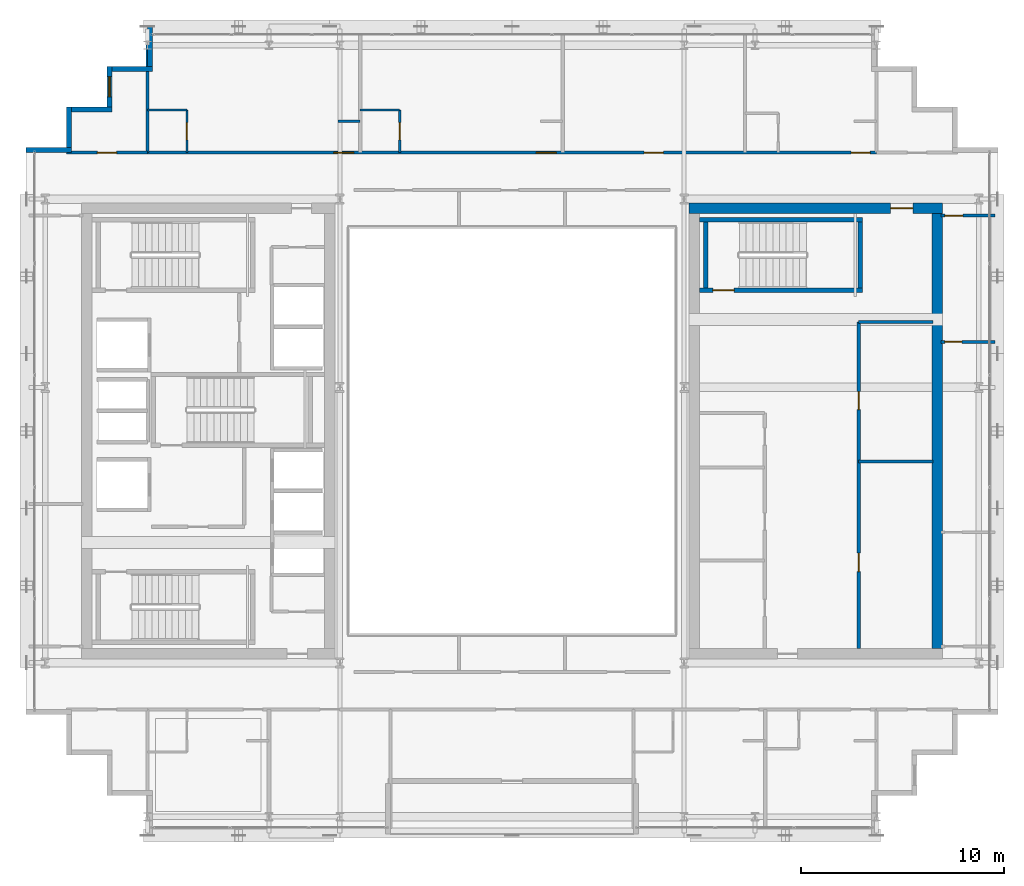
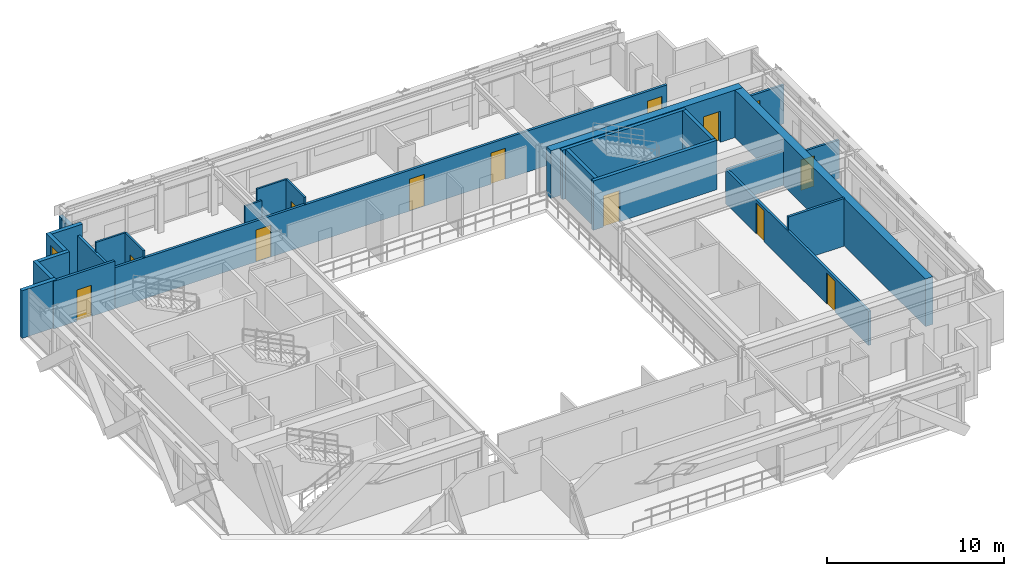
# One storey, part 27 of 32: 25 walls, 13 doors, 1 window, 14 openings.
"""IFC4 building model written with IfcOpenShell, lengths in metres."""

from ifc_helpers import new_model, si_unit, direction, frame, frame_2d, origin, place, context, subcontext, project, spatial, rectangle, extrude, source, transform, mapped, material, layer, layer_set, type_object, element, fill, save


model = new_model("IFC4")

# Units and contexts
model_context = context("Model", 3, precision=1e-05, world=origin(), true_north=direction((0.0, 1.0)))
body_context = subcontext(model_context, "Body", "Model", "MODEL_VIEW")
ifc_project = project(units=[si_unit("LENGTHUNIT", "METRE"), si_unit("AREAUNIT", "SQUARE_METRE"), si_unit("VOLUMEUNIT", "CUBIC_METRE"), si_unit("PLANEANGLEUNIT", "RADIAN"), si_unit("MASSUNIT", "GRAM", prefix="KILO")], contexts=[model_context])

# Site, building, storey
site_placement = place(None, origin())
site = spatial("IfcSite", under=ifc_project, at=site_placement, CompositionType="ELEMENT")
building_placement = place(site_placement, origin())
building = spatial("IfcBuilding", under=site, at=building_placement, Name="Ocotamira Hotel", CompositionType="ELEMENT")
storey_placement = place(building_placement, frame((0.0, 0.0, 217.199951171875)))
storey = spatial("IfcBuildingStorey", under=building, at=storey_placement, Name="L55", CompositionType="ELEMENT", Elevation=217.199951171875)

# Wall, opening, door
ifc_material_1 = material(Name="Concrete C50/60", Category="concrete")
ifc_layer_1 = layer(ifc_material_1, 0.5)
ifc_layer_set_1 = layer_set([ifc_layer_1], Name="Concrete C50/60")
wall_type_1 = type_object("IfcWallType", Name="WL-CORE-500", PredefinedType="SHEAR", material=ifc_layer_set_1)
wall_1_placement = place(storey_placement, frame((40.75, 37.0, 0.0), z_axis=(0.0, 0.0, 1.0), x_axis=(1.0, 0.0, 0.0)))
wall_1 = element("IfcWall", 1, at=wall_1_placement, inside=storey, type_object=wall_type_1, Name="L55 Shear Core Wall ECORE-N", PredefinedType="SHEAR", context=body_context, shape_type="SweptSolid", body=[
    extrude(rectangle(XDim=12.5, YDim=0.5, at=frame_2d((6.25, 0.0))), origin(), (0.0, 0.0, 1.0), 3.280029296875),
])
opening_1_placement = place(wall_1_placement, frame((9.949951171875, 0.0, 0.0)))
opening_1 = element("IfcOpeningElement", 2, at=opening_1_placement, cuts=wall_1, Name="Opening D-FR1", PredefinedType="OPENING", context=body_context, shape_type="SweptSolid", body=[
    extrude(rectangle(XDim=1.10009765625, YDim=2.14990234375, at=frame_2d((0.550048828125, 1.074951171875))), frame((0.0, 0.260009765625, 0.0), z_axis=(0.0, -1.0, 0.0), x_axis=(1.0, 0.0, 0.0)), (0.0, 0.0, 1.0), 0.52001953125),
])
ifc_material_2 = material(Name="Fire-rated acoustic timber-veneer door", Category="wood")
door_type_1 = type_object("IfcDoorType", Name="DR-FIRE-1100", OperationType="NOTDEFINED", PredefinedType="DOOR", material=ifc_material_2)
shared_shape_1 = source(origin(), body_context, "Body", "SweptSolid", [
    extrude(rectangle(XDim=1.10009765625, YDim=2.14990234375, at=frame_2d((0.550048828125, 1.074951171875))), frame((0.0, 0.02490234375, 0.0), z_axis=(0.0, -1.0, 0.0), x_axis=(1.0, 0.0, 0.0)), (0.0, 0.0, 1.0), 0.050048828125),
])
door_1_placement = place(opening_1_placement, origin())
door_1 = element("IfcDoor", 3, at=door_1_placement, inside=storey, type_object=door_type_1, Name="L55 Door ID-L55-ELOB-N-D [ID-L55-ELOB-N-D]", OperationType="SINGLE_SWING_LEFT", OverallHeight=2.14990234375, OverallWidth=1.10009765625, PredefinedType="DOOR", context=body_context, shape_type="MappedRepresentation", body=[
    mapped(shared_shape_1, transform((0.0, 0.0, 0.0), scale=1.0)),
])
fill(opening_1, door_1)

# Walls
wall_2_placement = place(storey_placement, frame((53.0, 15.25, 0.0), z_axis=(0.0, 0.0, 1.0), x_axis=(0.0, 1.0, 0.0)))
element("IfcWall", 4, at=wall_2_placement, inside=storey, type_object=wall_type_1, Name="L55 Shear Core Wall ECORE-E", PredefinedType="SHEAR", context=body_context, shape_type="SweptSolid", body=[
    extrude(rectangle(XDim=21.5, YDim=0.5, at=frame_2d((10.75, 0.0))), origin(), (0.0, 0.0, 1.0), 3.280029296875),
])
ifc_material_3 = material(Name="Precast concrete C45/55", Category="concrete")
ifc_layer_2 = layer(ifc_material_3, 0.25)
ifc_layer_set_2 = layer_set([ifc_layer_2], Name="Precast concrete C45/55")
wall_type_2 = type_object("IfcWallType", Name="WL-EXT-SER-250", PredefinedType="SOLIDWALL", material=ifc_layer_set_2)
wall_3_placement = place(storey_placement, frame((14.125, 46.0, 0.0), z_axis=(0.0, 0.0, 1.0), x_axis=(0.0, -1.0, 0.0)))
element("IfcWall", 5, at=wall_3_placement, inside=storey, type_object=wall_type_2, Name="L55 Serrated Corner Wall 13", PredefinedType="SOLIDWALL", context=body_context, shape_type="SweptSolid", body=[
    extrude(rectangle(XDim=2.0, YDim=0.25, at=frame_2d((1.0, 0.0))), origin(), (0.0, 0.0, 1.0), 2.587158203125),
])
wall_4_placement = place(storey_placement, frame((14.25, 43.875, 0.0), z_axis=(0.0, 0.0, 1.0), x_axis=(-1.0, 0.0, 0.0)))
element("IfcWall", 6, at=wall_4_placement, inside=storey, type_object=wall_type_2, Name="L55 Serrated Corner Wall 14", PredefinedType="SOLIDWALL", context=body_context, shape_type="SweptSolid", body=[
    extrude(rectangle(XDim=2.0, YDim=0.25, at=frame_2d((1.0, 0.0))), origin(), (0.0, 0.0, 1.0), 3.280029296875),
])

# Wall, opening, window
wall_5_placement = place(storey_placement, frame((12.125, 44.0, 0.0), z_axis=(0.0, 0.0, 1.0), x_axis=(0.0, -1.0, 0.0)))
wall_5 = element("IfcWall", 7, at=wall_5_placement, inside=storey, type_object=wall_type_2, Name="L55 Serrated Corner Wall 15", PredefinedType="SOLIDWALL", context=body_context, shape_type="SweptSolid", body=[
    extrude(rectangle(XDim=2.0, YDim=0.25, at=frame_2d((1.0, 0.0))), origin(), (0.0, 0.0, 1.0), 3.280029296875),
])
opening_2_placement = place(wall_5_placement, frame((0.5, 0.0, 0.85009765625)))
opening_2 = element("IfcOpeningElement", 8, at=opening_2_placement, cuts=wall_5, Name="Opening WN-2", PredefinedType="OPENING", context=body_context, shape_type="SweptSolid", body=[
    extrude(rectangle(XDim=1.0, YDim=1.89990234375, at=frame_2d((0.5, 0.949951171875))), frame((0.0, 0.135009765625, 0.0), z_axis=(0.0, -1.0, 0.0), x_axis=(1.0, 0.0, 0.0)), (0.0, 0.0, 1.0), 0.27001953125),
])
ifc_material_4 = material(Name="Double-silver low-E solar glass", Category="glass")
window_type = type_object("IfcWindowType", Name="WIN-SER-1100", PartitioningType="SINGLE_PANEL", PredefinedType="WINDOW", material=ifc_material_4)
shared_shape_2 = source(origin(), body_context, "Body", "SweptSolid", [
    extrude(rectangle(XDim=1.0, YDim=1.89990234375, at=frame_2d((0.5, 0.949951171875))), frame((0.0, 0.030029296875, 0.0), z_axis=(0.0, -1.0, 0.0), x_axis=(1.0, 0.0, 0.0)), (0.0, 0.0, 1.0), 0.06005859375),
])
window_placement = place(opening_2_placement, origin())
window = element("IfcWindow", 9, at=window_placement, inside=storey, type_object=window_type, Name="L55 Serrated Corner Window 15", OverallHeight=1.89990234375, OverallWidth=1.0, PartitioningType="SINGLE_PANEL", PredefinedType="WINDOW", context=body_context, shape_type="MappedRepresentation", body=[
    mapped(shared_shape_2, transform((0.0, 0.0, 0.0), scale=1.0)),
])
fill(opening_2, window)

# Walls
for number, where, z_axis, x_axis, name in (
    (10, (12.25, 41.875, 0.0), (0.0, 0.0, 1.0), (-1.0, 0.0, 0.0), "L55 Serrated Corner Wall 16"),
    (11, (10.125, 42.0, 0.0), (0.0, 0.0, 1.0), (0.0, -1.0, 0.0), "L55 Serrated Corner Wall 17"),
):
    element("IfcWall", number, at=place(storey_placement, frame(where, z_axis=z_axis, x_axis=x_axis)), inside=storey, type_object=wall_type_2, Name=name, PredefinedType="SOLIDWALL", context=body_context, shape_type="SweptSolid", body=[
        extrude(rectangle(XDim=2.0, YDim=0.25, at=frame_2d((1.0, 0.0))), origin(), (0.0, 0.0, 1.0), 3.280029296875),
    ])
wall_6_placement = place(storey_placement, frame((10.25, 39.875, 0.0), z_axis=(0.0, 0.0, 1.0), x_axis=(-1.0, 0.0, 0.0)))
element("IfcWall", 12, at=wall_6_placement, inside=storey, type_object=wall_type_2, Name="L55 Serrated Corner Wall 18", PredefinedType="SOLIDWALL", context=body_context, shape_type="SweptSolid", body=[
    extrude(rectangle(XDim=2.25, YDim=0.25, at=frame_2d((1.125, 0.0))), origin(), (0.0, 0.0, 1.0), 3.280029296875),
])
ifc_material_5 = material(Name="Acoustic double-layer fire gypsum board partition", Category="gypsum")
ifc_layer_3 = layer(ifc_material_5, 0.159912109375)
ifc_layer_set_3 = layer_set([ifc_layer_3], Name="Acoustic double-layer fire gypsum board partition")
wall_type_3 = type_object("IfcWallType", Name="WL-FIRE-160", PredefinedType="PARTITIONING", material=ifc_layer_set_3)
wall_7_placement = place(storey_placement, frame((49.1201171875, 31.3798828125, 0.0), z_axis=(0.0, 0.0, 1.0), x_axis=(1.0, 0.0, 0.0)))
element("IfcWall", 13, at=wall_7_placement, inside=storey, type_object=wall_type_3, Name="L55 Interior Wall PW-L55-EC-FLOW-N", PredefinedType="PARTITIONING", context=body_context, shape_type="SweptSolid", body=[
    extrude(rectangle(XDim=3.679931640625, YDim=0.159912109375, at=frame_2d((1.83984375, 0.0))), origin(), (0.0, 0.0, 1.0), 2.380126953125),
])

# Wall, openings, doors
wall_8_placement = place(storey_placement, frame((49.1201171875, 15.25, 0.0), z_axis=(0.0, 0.0, 1.0), x_axis=(0.0, 1.0, 0.0)))
wall_8 = element("IfcWall", 14, at=wall_8_placement, inside=storey, type_object=wall_type_3, Name="L55 Interior Wall PW-L55-EC-FLOW-W", PredefinedType="PARTITIONING", context=body_context, shape_type="SweptSolid", body=[
    extrude(rectangle(XDim=16.1298828125, YDim=0.159912109375, at=frame_2d((8.06494140625, 0.0))), origin(), (0.0, 0.0, 1.0), 2.360107421875),
])
opening_3_placement = place(wall_8_placement, frame((3.800048828125, 0.0, 0.0)))
opening_3 = element("IfcOpeningElement", 15, at=opening_3_placement, cuts=wall_8, Name="Opening D-SV3", PredefinedType="OPENING", context=body_context, shape_type="SweptSolid", body=[
    extrude(rectangle(XDim=0.919921875, YDim=2.14990234375, at=frame_2d((0.4599609375, 1.074951171875))), frame((0.0, 0.08984375, 0.0), z_axis=(0.0, -1.0, 0.0), x_axis=(1.0, 0.0, 0.0)), (0.0, 0.0, 1.0), 0.179931640625),
])
opening_4_placement = place(wall_8_placement, frame((11.800048828125, 0.0, 0.0)))
opening_4 = element("IfcOpeningElement", 16, at=opening_4_placement, cuts=wall_8, Name="Opening D-IN3", PredefinedType="OPENING", context=body_context, shape_type="SweptSolid", body=[
    extrude(rectangle(XDim=0.89990234375, YDim=2.14990234375, at=frame_2d((0.449951171875, 1.074951171875))), frame((0.0, 0.08984375, 0.0), z_axis=(0.0, -1.0, 0.0), x_axis=(1.0, 0.0, 0.0)), (0.0, 0.0, 1.0), 0.179931640625),
])
ifc_material_6 = material(Name="Painted service room door", Category="steel")
door_type_2 = type_object("IfcDoorType", Name="DR-INT-900", OperationType="NOTDEFINED", PredefinedType="DOOR", material=ifc_material_6)
shared_shape_3 = source(origin(), body_context, "Body", "SweptSolid", [
    extrude(rectangle(XDim=0.89990234375, YDim=2.14990234375, at=frame_2d((0.449951171875, 1.074951171875))), frame((0.0, 0.02490234375, 0.0), z_axis=(0.0, -1.0, 0.0), x_axis=(1.0, 0.0, 0.0)), (0.0, 0.0, 1.0), 0.050048828125),
])
door_2_placement = place(opening_4_placement, origin())
door_2 = element("IfcDoor", 17, at=door_2_placement, inside=storey, type_object=door_type_2, Name="L55 Door ID-L55-EC-FLOW-DB [ID-L55-EC-FLOW-DB]", OperationType="SINGLE_SWING_RIGHT", OverallHeight=2.14990234375, OverallWidth=0.89990234375, PredefinedType="DOOR", context=body_context, shape_type="MappedRepresentation", body=[
    mapped(shared_shape_3, transform((0.0, 0.0, 0.0), scale=1.0)),
])
fill(opening_4, door_2)
ifc_material_7 = material(Name="Fire-rated walnut hospitality door", Category="wood")
door_type_3 = type_object("IfcDoorType", Name="DR-SERV-920", OperationType="NOTDEFINED", PredefinedType="DOOR", material=ifc_material_7)
shared_shape_4 = source(origin(), body_context, "Body", "SweptSolid", [
    extrude(rectangle(XDim=0.919921875, YDim=2.14990234375, at=frame_2d((0.4599609375, 1.074951171875))), frame((0.0, 0.02490234375, 0.0), z_axis=(0.0, -1.0, 0.0), x_axis=(1.0, 0.0, 0.0)), (0.0, 0.0, 1.0), 0.050048828125),
])
door_3_placement = place(opening_3_placement, origin())
door_3 = element("IfcDoor", 18, at=door_3_placement, inside=storey, type_object=door_type_3, Name="L55 Door ID-L55-EC-FLOW-DA [ID-L55-EC-FLOW-DA]", OperationType="SINGLE_SWING_LEFT", OverallHeight=2.14990234375, OverallWidth=0.919921875, PredefinedType="DOOR", context=body_context, shape_type="MappedRepresentation", body=[
    mapped(shared_shape_4, transform((0.0, 0.0, 0.0), scale=1.0)),
])
fill(opening_3, door_3)

# Wall, opening, door
wall_9_placement = place(storey_placement, frame((10.0, 39.75, 0.0), z_axis=(0.0, 0.0, 1.0), x_axis=(1.0, 0.0, 0.0)))
wall_9 = element("IfcWall", 19, at=wall_9_placement, inside=storey, type_object=wall_type_3, Name="L55 Interior Wall PW-L55-Z3F-CNW-CW", PredefinedType="PARTITIONING", context=body_context, shape_type="SweptSolid", body=[
    extrude(rectangle(XDim=4.0, YDim=0.159912109375, at=frame_2d((2.0, 0.0))), origin(), (0.0, 0.0, 1.0), 3.280029296875),
])
opening_5_placement = place(wall_9_placement, frame((1.52001953125, 0.0, 0.0)))
opening_5 = element("IfcOpeningElement", 20, at=opening_5_placement, cuts=wall_9, Name="Opening D-SV4", PredefinedType="OPENING", context=body_context, shape_type="SweptSolid", body=[
    extrude(rectangle(XDim=0.9599609375, YDim=2.14990234375, at=frame_2d((0.47998046875, 1.074951171875))), frame((0.0, 0.08984375, 0.0), z_axis=(0.0, -1.0, 0.0), x_axis=(1.0, 0.0, 0.0)), (0.0, 0.0, 1.0), 0.179931640625),
])
ifc_material_8 = material(Name="Fire-rated accessible walnut salon door", Category="wood")
door_type_4 = type_object("IfcDoorType", Name="DR-SERV-960", OperationType="NOTDEFINED", PredefinedType="DOOR", material=ifc_material_8)
shared_shape_5 = source(origin(), body_context, "Body", "SweptSolid", [
    extrude(rectangle(XDim=0.9599609375, YDim=2.14990234375, at=frame_2d((0.47998046875, 1.074951171875))), frame((0.0, 0.02490234375, 0.0), z_axis=(0.0, -1.0, 0.0), x_axis=(1.0, 0.0, 0.0)), (0.0, 0.0, 1.0), 0.050048828125),
])
door_4_placement = place(opening_5_placement, origin())
door_4 = element("IfcDoor", 21, at=door_4_placement, inside=storey, type_object=door_type_4, Name="L55 Door ID-L55-Z3F-CNW-CD [ID-L55-Z3F-CNW-CD]", OperationType="SINGLE_SWING_LEFT", OverallHeight=2.14990234375, OverallWidth=0.9599609375, PredefinedType="DOOR", context=body_context, shape_type="MappedRepresentation", body=[
    mapped(shared_shape_5, transform((0.0, 0.0, 0.0), scale=1.0)),
])
fill(opening_5, door_4)

# Wall, openings, doors
wall_10_placement = place(storey_placement, frame((14.0, 39.75, 0.0), z_axis=(0.0, 0.0, 1.0), x_axis=(1.0, 0.0, 0.0)))
wall_10 = element("IfcWall", 22, at=wall_10_placement, inside=storey, type_object=wall_type_3, Name="L55 Interior Wall PW-L55-Z3FN-CORRW", PredefinedType="PARTITIONING", context=body_context, shape_type="SweptSolid", body=[
    extrude(rectangle(XDim=36.0, YDim=0.159912109375, at=frame_2d((18.0, 0.0))), origin(), (0.0, 0.0, 1.0), 2.822998046875),
])
opening_6_placement = place(wall_10_placement, frame((9.199951171875, 0.0, 0.0)))
opening_6 = element("IfcOpeningElement", 23, at=opening_6_placement, cuts=wall_10, Name="Opening D-GR2", PredefinedType="OPENING", context=body_context, shape_type="SweptSolid", body=[
    extrude(rectangle(XDim=0.97998046875, YDim=2.199951171875, at=frame_2d((0.489990234375, 1.10009765625))), frame((0.0, 0.08984375, 0.0), z_axis=(0.0, -1.0, 0.0), x_axis=(1.0, 0.0, 0.0)), (0.0, 0.0, 1.0), 0.179931640625),
])
opening_7_placement = place(wall_10_placement, frame((19.199951171875, 0.0, 0.0)))
opening_7 = element("IfcOpeningElement", 24, at=opening_7_placement, cuts=wall_10, Name="Opening D-GR2", PredefinedType="OPENING", context=body_context, shape_type="SweptSolid", body=[
    extrude(rectangle(XDim=0.97998046875, YDim=2.199951171875, at=frame_2d((0.489990234375, 1.10009765625))), frame((0.0, 0.08984375, 0.0), z_axis=(0.0, -1.0, 0.0), x_axis=(1.0, 0.0, 0.0)), (0.0, 0.0, 1.0), 0.179931640625),
])
opening_8_placement = place(wall_10_placement, frame((24.52001953125, 0.0, 0.0)))
opening_8 = element("IfcOpeningElement", 25, at=opening_8_placement, cuts=wall_10, Name="Opening D-SV4", PredefinedType="OPENING", context=body_context, shape_type="SweptSolid", body=[
    extrude(rectangle(XDim=0.9599609375, YDim=2.14990234375, at=frame_2d((0.47998046875, 1.074951171875))), frame((0.0, 0.08984375, 0.0), z_axis=(0.0, -1.0, 0.0), x_axis=(1.0, 0.0, 0.0)), (0.0, 0.0, 1.0), 0.179931640625),
])
opening_9_placement = place(wall_10_placement, frame((34.739990234375, 0.0, 0.0)))
opening_9 = element("IfcOpeningElement", 26, at=opening_9_placement, cuts=wall_10, Name="Opening D-GR1", PredefinedType="OPENING", context=body_context, shape_type="SweptSolid", body=[
    extrude(rectangle(XDim=0.93994140625, YDim=2.14990234375, at=frame_2d((0.469970703125, 1.074951171875))), frame((0.0, 0.08984375, 0.0), z_axis=(0.0, -1.0, 0.0), x_axis=(1.0, 0.0, 0.0)), (0.0, 0.0, 1.0), 0.179931640625),
])
door_5_placement = place(opening_8_placement, origin())
door_5 = element("IfcDoor", 27, at=door_5_placement, inside=storey, type_object=door_type_4, Name="L55 Door ID-L55-Z3FN-AMD3 [ID-L55-Z3FN-AMD3]", OperationType="SINGLE_SWING_LEFT", OverallHeight=2.14990234375, OverallWidth=0.9599609375, PredefinedType="DOOR", context=body_context, shape_type="MappedRepresentation", body=[
    mapped(shared_shape_5, transform((0.0, 0.0, 0.0), scale=1.0)),
])
fill(opening_8, door_5)
ifc_material_9 = material(Name="Solid-core walnut suite entrance fire door", Category="wood")
door_type_5 = type_object("IfcDoorType", Name="DR-GUEST-940", OperationType="NOTDEFINED", PredefinedType="DOOR", material=ifc_material_9)
shared_shape_6 = source(origin(), body_context, "Body", "SweptSolid", [
    extrude(rectangle(XDim=0.93994140625, YDim=2.14990234375, at=frame_2d((0.469970703125, 1.074951171875))), frame((0.0, 0.02490234375, 0.0), z_axis=(0.0, -1.0, 0.0), x_axis=(1.0, 0.0, 0.0)), (0.0, 0.0, 1.0), 0.050048828125),
])
door_6_placement = place(opening_9_placement, origin())
door_6 = element("IfcDoor", 28, at=door_6_placement, inside=storey, type_object=door_type_5, Name="L55 Door ID-L55-Z3FN-RMD4 [ID-L55-Z3FN-RMD4]", OperationType="SINGLE_SWING_RIGHT", OverallHeight=2.14990234375, OverallWidth=0.93994140625, PredefinedType="DOOR", context=body_context, shape_type="MappedRepresentation", body=[
    mapped(shared_shape_6, transform((0.0, 0.0, 0.0), scale=1.0)),
])
fill(opening_9, door_6)
ifc_material_10 = material(Name="Solid-core walnut grand-suite entrance fire door", Category="wood")
door_type_6 = type_object("IfcDoorType", Name="DR-GUEST-980", OperationType="NOTDEFINED", PredefinedType="DOOR", material=ifc_material_10)
shared_shape_7 = source(origin(), body_context, "Body", "SweptSolid", [
    extrude(rectangle(XDim=0.97998046875, YDim=2.199951171875, at=frame_2d((0.489990234375, 1.10009765625))), frame((0.0, 0.02490234375, 0.0), z_axis=(0.0, -1.0, 0.0), x_axis=(1.0, 0.0, 0.0)), (0.0, 0.0, 1.0), 0.050048828125),
])
door_7_placement = place(opening_6_placement, origin())
door_7 = element("IfcDoor", 29, at=door_7_placement, inside=storey, type_object=door_type_6, Name="L55 Door ID-L55-Z3FN-RMD1 [ID-L55-Z3FN-RMD1]", OperationType="SINGLE_SWING_LEFT", OverallHeight=2.199951171875, OverallWidth=0.97998046875, PredefinedType="DOOR", context=body_context, shape_type="MappedRepresentation", body=[
    mapped(shared_shape_7, transform((0.0, 0.0, 0.0), scale=1.0)),
])
fill(opening_6, door_7)
door_8_placement = place(opening_7_placement, origin())
door_8 = element("IfcDoor", 30, at=door_8_placement, inside=storey, type_object=door_type_6, Name="L55 Door ID-L55-Z3FN-RMD2 [ID-L55-Z3FN-RMD2]", OperationType="SINGLE_SWING_RIGHT", OverallHeight=2.199951171875, OverallWidth=0.97998046875, PredefinedType="DOOR", context=body_context, shape_type="MappedRepresentation", body=[
    mapped(shared_shape_7, transform((0.0, 0.0, 0.0), scale=1.0)),
])
fill(opening_7, door_8)

# Wall, opening, door
ifc_material_11 = material(Name="Moisture-resistant en-suite tile and gypsum partition", Category="gypsum")
ifc_layer_4 = layer(ifc_material_11, 0.1201171875)
ifc_layer_set_4 = layer_set([ifc_layer_4], Name="Moisture-resistant en-suite tile and gypsum partition")
wall_type_4 = type_object("IfcWallType", Name="WL-PART-120", PredefinedType="PARTITIONING", material=ifc_layer_set_4)
wall_11_placement = place(storey_placement, frame((15.949951171875, 39.75, 0.0), z_axis=(0.0, 0.0, 1.0), x_axis=(0.0, 1.0, 0.0)))
wall_11 = element("IfcWall", 31, at=wall_11_placement, inside=storey, type_object=wall_type_4, Name="L55 Interior Wall PW-L55-Z3FN-BAE1", PredefinedType="PARTITIONING", context=body_context, shape_type="SweptSolid", body=[
    extrude(rectangle(XDim=2.10009765625, YDim=0.1201171875, at=frame_2d((1.050048828125, 0.0))), origin(), (0.0, 0.0, 1.0), 3.280029296875),
])
opening_10_placement = place(wall_11_placement, frame((0.6201171875, 0.0, 0.0)))
opening_10 = element("IfcOpeningElement", 32, at=opening_10_placement, cuts=wall_11, Name="Opening D-BA1", PredefinedType="OPENING", context=body_context, shape_type="SweptSolid", body=[
    extrude(rectangle(XDim=0.860107421875, YDim=2.10009765625, at=frame_2d((0.43017578125, 1.050048828125))), frame((0.0, 0.070068359375, 0.0), z_axis=(0.0, -1.0, 0.0), x_axis=(1.0, 0.0, 0.0)), (0.0, 0.0, 1.0), 0.14013671875),
])
ifc_material_12 = material(Name="Moisture-sealed en-suite timber door", Category="wood")
door_type_7 = type_object("IfcDoorType", Name="DR-BATH-860", OperationType="NOTDEFINED", PredefinedType="DOOR", material=ifc_material_12)
shared_shape_8 = source(origin(), body_context, "Body", "SweptSolid", [
    extrude(rectangle(XDim=0.860107421875, YDim=2.10009765625, at=frame_2d((0.43017578125, 1.050048828125))), frame((0.0, 0.02490234375, 0.0), z_axis=(0.0, -1.0, 0.0), x_axis=(1.0, 0.0, 0.0)), (0.0, 0.0, 1.0), 0.050048828125),
])
door_9_placement = place(opening_10_placement, origin())
door_9 = element("IfcDoor", 33, at=door_9_placement, inside=storey, type_object=door_type_7, Name="L55 Door ID-L55-Z3FN-BAD1 [ID-L55-Z3FN-BAD1]", OperationType="SINGLE_SWING_RIGHT", OverallHeight=2.10009765625, OverallWidth=0.860107421875, PredefinedType="DOOR", context=body_context, shape_type="MappedRepresentation", body=[
    mapped(shared_shape_8, transform((0.0, 0.0, 0.0), scale=1.0)),
])
fill(opening_10, door_9)

# Walls
wall_12_placement = place(storey_placement, frame((14.0, 41.85009765625, 0.0), z_axis=(0.0, 0.0, 1.0), x_axis=(1.0, 0.0, 0.0)))
element("IfcWall", 34, at=wall_12_placement, inside=storey, type_object=wall_type_4, Name="L55 Interior Wall PW-L55-Z3FN-BAN1", PredefinedType="PARTITIONING", context=body_context, shape_type="SweptSolid", body=[
    extrude(rectangle(XDim=1.949951171875, YDim=0.1201171875, at=frame_2d((0.97509765625, 0.0))), origin(), (0.0, 0.0, 1.0), 3.280029296875),
])
wall_13_placement = place(storey_placement, frame((23.39990234375, 41.300048828125, 0.0), z_axis=(0.0, 0.0, 1.0), x_axis=(1.0, 0.0, 0.0)))
element("IfcWall", 35, at=wall_13_placement, inside=storey, type_object=wall_type_4, Name="L55 Interior Wall PW-L55-Z3FN-DRN1", PredefinedType="PARTITIONING", context=body_context, shape_type="SweptSolid", body=[
    extrude(rectangle(XDim=1.10009765625, YDim=0.1201171875, at=frame_2d((0.550048828125, 0.0))), origin(), (0.0, 0.0, 1.0), 2.822998046875),
])

# Wall, opening, door
wall_14_placement = place(storey_placement, frame((26.449951171875, 39.75, 0.0), z_axis=(0.0, 0.0, 1.0), x_axis=(0.0, 1.0, 0.0)))
wall_14 = element("IfcWall", 36, at=wall_14_placement, inside=storey, type_object=wall_type_4, Name="L55 Interior Wall PW-L55-Z3FN-BAE2", PredefinedType="PARTITIONING", context=body_context, shape_type="SweptSolid", body=[
    extrude(rectangle(XDim=2.10009765625, YDim=0.1201171875, at=frame_2d((1.050048828125, 0.0))), origin(), (0.0, 0.0, 1.0), 3.280029296875),
])
opening_11_placement = place(wall_14_placement, frame((0.6201171875, 0.0, 0.0)))
opening_11 = element("IfcOpeningElement", 37, at=opening_11_placement, cuts=wall_14, Name="Opening D-BA1", PredefinedType="OPENING", context=body_context, shape_type="SweptSolid", body=[
    extrude(rectangle(XDim=0.860107421875, YDim=2.10009765625, at=frame_2d((0.43017578125, 1.050048828125))), frame((0.0, 0.070068359375, 0.0), z_axis=(0.0, -1.0, 0.0), x_axis=(1.0, 0.0, 0.0)), (0.0, 0.0, 1.0), 0.14013671875),
])
door_10_placement = place(opening_11_placement, origin())
door_10 = element("IfcDoor", 38, at=door_10_placement, inside=storey, type_object=door_type_7, Name="L55 Door ID-L55-Z3FN-BAD2 [ID-L55-Z3FN-BAD2]", OperationType="SINGLE_SWING_LEFT", OverallHeight=2.10009765625, OverallWidth=0.860107421875, PredefinedType="DOOR", context=body_context, shape_type="MappedRepresentation", body=[
    mapped(shared_shape_8, transform((0.0, 0.0, 0.0), scale=1.0)),
])
fill(opening_11, door_10)

# Wall
wall_15_placement = place(storey_placement, frame((24.5, 41.85009765625, 0.0), z_axis=(0.0, 0.0, 1.0), x_axis=(1.0, 0.0, 0.0)))
element("IfcWall", 39, at=wall_15_placement, inside=storey, type_object=wall_type_4, Name="L55 Interior Wall PW-L55-Z3FN-BAN2", PredefinedType="PARTITIONING", context=body_context, shape_type="SweptSolid", body=[
    extrude(rectangle(XDim=1.949951171875, YDim=0.1201171875, at=frame_2d((0.97509765625, 0.0))), origin(), (0.0, 0.0, 1.0), 3.280029296875),
])

# Wall, opening, door
ifc_material_13 = material(Name="Acoustic hospitality gypsum board partition", Category="gypsum")
ifc_layer_5 = layer(ifc_material_13, 0.14208984375)
ifc_layer_set_5 = layer_set([ifc_layer_5], Name="Acoustic hospitality gypsum board partition")
wall_type_5 = type_object("IfcWallType", Name="WL-PART-142", PredefinedType="PARTITIONING", material=ifc_layer_set_5)
wall_16_placement = place(storey_placement, frame((53.179931640625, 30.39990234375, 0.0), z_axis=(0.0, 0.0, 1.0), x_axis=(1.0, 0.0, 0.0)))
wall_16 = element("IfcWall", 40, at=wall_16_placement, inside=storey, type_object=wall_type_5, Name="L55 Interior Wall PW-L55-Z3F-EF-DV2", PredefinedType="PARTITIONING", context=body_context, shape_type="SweptSolid", body=[
    extrude(rectangle(XDim=2.66015625, YDim=0.14208984375, at=frame_2d((1.330078125, 0.0))), origin(), (0.0, 0.0, 1.0), 2.6630859375),
])
opening_12_placement = place(wall_16_placement, frame((0.199951171875, 0.0, 0.0)))
opening_12 = element("IfcOpeningElement", 41, at=opening_12_placement, cuts=wall_16, Name="Opening D-SV1", PredefinedType="OPENING", context=body_context, shape_type="SweptSolid", body=[
    extrude(rectangle(XDim=0.840087890625, YDim=2.10009765625, at=frame_2d((0.419921875, 1.050048828125))), frame((0.0, 0.0810546875, 0.0), z_axis=(0.0, -1.0, 0.0), x_axis=(1.0, 0.0, 0.0)), (0.0, 0.0, 1.0), 0.162109375),
])
ifc_material_14 = material(Name="Fire-rated painted steel service door", Category="steel")
door_type_8 = type_object("IfcDoorType", Name="DR-SERV-840", OperationType="NOTDEFINED", PredefinedType="DOOR", material=ifc_material_14)
shared_shape_9 = source(origin(), body_context, "Body", "SweptSolid", [
    extrude(rectangle(XDim=0.840087890625, YDim=2.10009765625, at=frame_2d((0.419921875, 1.050048828125))), frame((0.0, 0.02490234375, 0.0), z_axis=(0.0, -1.0, 0.0), x_axis=(1.0, 0.0, 0.0)), (0.0, 0.0, 1.0), 0.050048828125),
])
door_11_placement = place(opening_12_placement, origin())
door_11 = element("IfcDoor", 42, at=door_11_placement, inside=storey, type_object=door_type_8, Name="L55 Door ID-L55-Z3F-EF-DV2D [ID-L55-Z3F-EF-DV2D]", OperationType="SINGLE_SWING_RIGHT", OverallHeight=2.10009765625, OverallWidth=0.840087890625, PredefinedType="DOOR", context=body_context, shape_type="MappedRepresentation", body=[
    mapped(shared_shape_9, transform((0.0, 0.0, 0.0), scale=1.0)),
])
fill(opening_12, door_11)

# Wall
ifc_layer_6 = layer(ifc_material_13, 0.14990234375)
ifc_layer_set_6 = layer_set([ifc_layer_6], Name="Acoustic hospitality gypsum board partition")
wall_type_6 = type_object("IfcWallType", Name="WL-PART-150", PredefinedType="PARTITIONING", material=ifc_layer_set_6)
wall_17_placement = place(storey_placement, frame((49.1201171875, 24.489990234375, 0.0), z_axis=(0.0, 0.0, 1.0), x_axis=(1.0, 0.0, 0.0)))
element("IfcWall", 43, at=wall_17_placement, inside=storey, type_object=wall_type_6, Name="L55 Interior Wall PW-L55-EC-FDIVA", PredefinedType="PARTITIONING", context=body_context, shape_type="SweptSolid", body=[
    extrude(rectangle(XDim=3.679931640625, YDim=0.14990234375, at=frame_2d((1.83984375, 0.0))), origin(), (0.0, 0.0, 1.0), 3.280029296875),
])

# Wall, opening, door
wall_18_placement = place(storey_placement, frame((53.179931640625, 36.639892578125, 0.0), z_axis=(0.0, 0.0, 1.0), x_axis=(1.0, 0.0, 0.0)))
wall_18 = element("IfcWall", 44, at=wall_18_placement, inside=storey, type_object=wall_type_6, Name="L55 Interior Wall PW-L55-Z3F-EF-WN", PredefinedType="PARTITIONING", context=body_context, shape_type="SweptSolid", body=[
    extrude(rectangle(XDim=2.66015625, YDim=0.14990234375, at=frame_2d((1.330078125, 0.0))), origin(), (0.0, 0.0, 1.0), 2.6630859375),
])
opening_13_placement = place(wall_18_placement, frame((0.199951171875, 0.0, 0.0)))
opening_13 = element("IfcOpeningElement", 45, at=opening_13_placement, cuts=wall_18, Name="Opening D-SV2", PredefinedType="OPENING", context=body_context, shape_type="SweptSolid", body=[
    extrude(rectangle(XDim=0.8798828125, YDim=2.14990234375, at=frame_2d((0.43994140625, 1.074951171875))), frame((0.0, 0.0849609375, 0.0), z_axis=(0.0, -1.0, 0.0), x_axis=(1.0, 0.0, 0.0)), (0.0, 0.0, 1.0), 0.169921875),
])
door_type_9 = type_object("IfcDoorType", Name="DR-SERV-880", OperationType="NOTDEFINED", PredefinedType="DOOR", material=ifc_material_14)
shared_shape_10 = source(origin(), body_context, "Body", "SweptSolid", [
    extrude(rectangle(XDim=0.8798828125, YDim=2.14990234375, at=frame_2d((0.43994140625, 1.074951171875))), frame((0.0, 0.02490234375, 0.0), z_axis=(0.0, -1.0, 0.0), x_axis=(1.0, 0.0, 0.0)), (0.0, 0.0, 1.0), 0.050048828125),
])
door_12_placement = place(opening_13_placement, origin())
door_12 = element("IfcDoor", 46, at=door_12_placement, inside=storey, type_object=door_type_9, Name="L55 Door ID-L55-Z3F-EF-DN [ID-L55-Z3F-EF-DN]", OperationType="SINGLE_SWING_LEFT", OverallHeight=2.14990234375, OverallWidth=0.8798828125, PredefinedType="DOOR", context=body_context, shape_type="MappedRepresentation", body=[
    mapped(shared_shape_10, transform((0.0, 0.0, 0.0), scale=1.0)),
])
fill(opening_13, door_12)

# Wall
ifc_material_15 = material(Name="Acoustic double-stud hospitality gypsum partition", Category="gypsum")
ifc_layer_7 = layer(ifc_material_15, 0.159912109375)
ifc_layer_set_7 = layer_set([ifc_layer_7], Name="Acoustic double-stud hospitality gypsum partition")
wall_type_7 = type_object("IfcWallType", Name="WL-PART-160", PredefinedType="PARTITIONING", material=ifc_layer_set_7)
wall_19_placement = place(storey_placement, frame((14.0, 39.75, 0.0), z_axis=(0.0, 0.0, 1.0), x_axis=(0.0, 1.0, 0.0)))
element("IfcWall", 47, at=wall_19_placement, inside=storey, type_object=wall_type_7, Name="L55 Interior Wall PW-L55-Z3FN-PW0", PredefinedType="PARTITIONING", context=body_context, shape_type="SweptSolid", body=[
    extrude(rectangle(XDim=5.889892578125, YDim=0.159912109375, at=frame_2d((2.94482421875, 0.0))), origin(), (0.0, 0.0, 1.0), 2.587158203125),
])

# Wall, opening, door
ifc_layer_8 = layer(ifc_material_1, 0.219970703125)
ifc_layer_set_8 = layer_set([ifc_layer_8], Name="Concrete C50/60")
wall_type_8 = type_object("IfcWallType", Name="WL-STAIR-220", PredefinedType="SHEAR", material=ifc_layer_set_8)
wall_20_placement = place(storey_placement, frame((41.25, 32.93994140625, 0.0), z_axis=(0.0, 0.0, 1.0), x_axis=(1.0, 0.0, 0.0)))
wall_20 = element("IfcWall", 48, at=wall_20_placement, inside=storey, type_object=wall_type_8, Name="L55 Stair Shaft Structural Wall ST-4-S", PredefinedType="SHEAR", context=body_context, shape_type="SweptSolid", body=[
    extrude(rectangle(XDim=8.06005859375, YDim=0.219970703125, at=frame_2d((4.030029296875, 0.0))), origin(), (0.0, 0.0, 1.0), 3.400146484375),
])
opening_14_placement = place(wall_20_placement, frame((0.669921875, 0.0, 0.0)))
opening_14 = element("IfcOpeningElement", 49, at=opening_14_placement, cuts=wall_20, Name="Opening D-ST2", PredefinedType="OPENING", context=body_context, shape_type="SweptSolid", body=[
    extrude(rectangle(XDim=1.050048828125, YDim=2.14990234375, at=frame_2d((0.52490234375, 1.074951171875))), frame((0.0, 0.1201171875, 0.0), z_axis=(0.0, -1.0, 0.0), x_axis=(1.0, 0.0, 0.0)), (0.0, 0.0, 1.0), 0.239990234375),
])
ifc_material_16 = material(Name="Insulated painted hollow-metal fire exit door", Category="steel")
door_type_10 = type_object("IfcDoorType", Name="DR-STAIR-1050", OperationType="NOTDEFINED", PredefinedType="DOOR", material=ifc_material_16)
shared_shape_11 = source(origin(), body_context, "Body", "SweptSolid", [
    extrude(rectangle(XDim=1.050048828125, YDim=2.14990234375, at=frame_2d((0.52490234375, 1.074951171875))), frame((0.0, 0.02490234375, 0.0), z_axis=(0.0, -1.0, 0.0), x_axis=(1.0, 0.0, 0.0)), (0.0, 0.0, 1.0), 0.050048828125),
])
door_13_placement = place(opening_14_placement, origin())
door_13 = element("IfcDoor", 50, at=door_13_placement, inside=storey, type_object=door_type_10, Name="L55 Door ID-L55-STD-ST-4 [ID-L55-STD-ST-4]", OperationType="SINGLE_SWING_LEFT", OverallHeight=2.14990234375, OverallWidth=1.050048828125, PredefinedType="DOOR", context=body_context, shape_type="MappedRepresentation", body=[
    mapped(shared_shape_11, transform((0.0, 0.0, 0.0), scale=1.0)),
])
fill(opening_14, door_13)

# Walls
wall_21_placement = place(storey_placement, frame((41.25, 36.43994140625, 0.0), z_axis=(0.0, 0.0, 1.0), x_axis=(1.0, 0.0, 0.0)))
element("IfcWall", 51, at=wall_21_placement, inside=storey, type_object=wall_type_8, Name="L55 Stair Shaft Structural Wall ST-4-N", PredefinedType="SHEAR", context=body_context, shape_type="SweptSolid", body=[
    extrude(rectangle(XDim=8.06005859375, YDim=0.219970703125, at=frame_2d((4.030029296875, 0.0))), origin(), (0.0, 0.0, 1.0), 3.400146484375),
])
for number, where, z_axis, x_axis, name in (
    (52, (41.56005859375, 33.050048828125, 0.0), (0.0, 0.0, 1.0), (0.0, 1.0, 0.0), "L55 Stair Shaft Structural Wall ST-4-W"),
    (53, (49.199951171875, 33.050048828125, 0.0), (0.0, 0.0, 1.0), (0.0, 1.0, 0.0), "L55 Stair Shaft Structural Wall ST-4-E"),
):
    element("IfcWall", number, at=place(storey_placement, frame(where, z_axis=z_axis, x_axis=x_axis)), inside=storey, type_object=wall_type_8, Name=name, PredefinedType="SHEAR", context=body_context, shape_type="SweptSolid", body=[
        extrude(rectangle(XDim=3.280029296875, YDim=0.219970703125, at=frame_2d((1.64013671875, 0.0))), origin(), (0.0, 0.0, 1.0), 3.400146484375),
    ])

save(model, "model.ifc")
